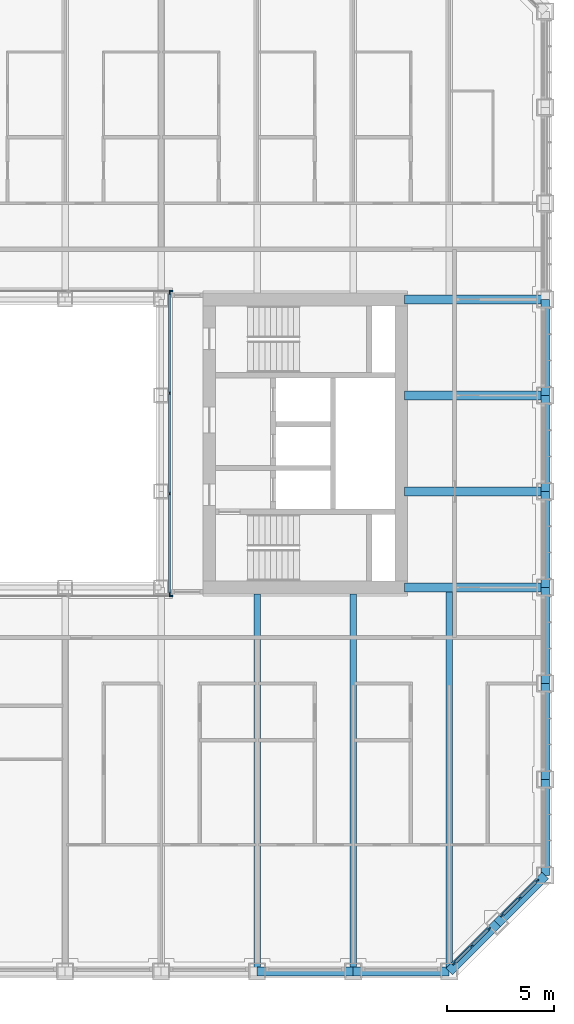
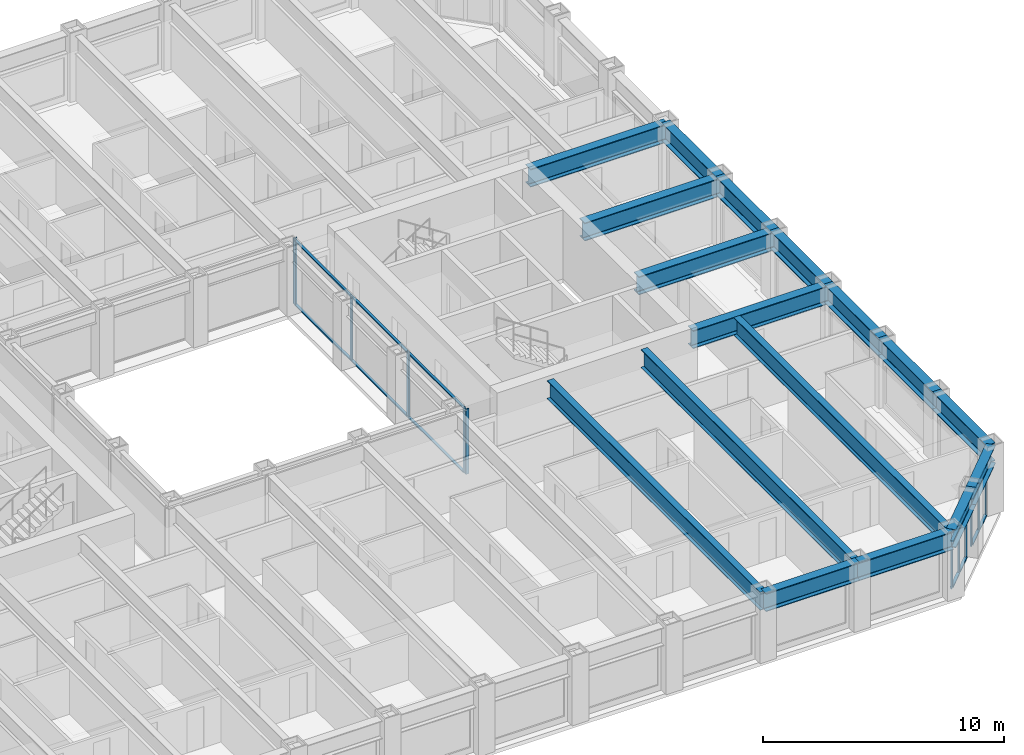
# One storey, part 5 of 21: 26 members, 17 beams, 5 elements without a shape of their own.
"""IFC4 building model written with IfcOpenShell, lengths in metres."""

from ifc_helpers import new_model, si_unit, direction, frame, origin, origin_2d, place, context, subcontext, project, spatial, rectangle, i_section, extrude, material, material_profile, profile_set, type_object, element, aggregate, save


model = new_model("IFC4")

# Units and contexts
model_context = context("Model", 3, precision=1e-05, world=origin(), true_north=direction((0.0, 1.0)))
body_context = subcontext(model_context, "Body", "Model", "MODEL_VIEW")
ifc_project = project(units=[si_unit("LENGTHUNIT", "METRE"), si_unit("AREAUNIT", "SQUARE_METRE"), si_unit("VOLUMEUNIT", "CUBIC_METRE"), si_unit("PLANEANGLEUNIT", "RADIAN"), si_unit("MASSUNIT", "GRAM", prefix="KILO")], contexts=[model_context])

# Site, building, storey
site_placement = place(None, origin())
site = spatial("IfcSite", under=ifc_project, at=site_placement, CompositionType="ELEMENT")
building_placement = place(site_placement, origin())
building = spatial("IfcBuilding", under=site, at=building_placement, Name="Msasa Ring Tower", CompositionType="ELEMENT")
storey_placement = place(building_placement, frame((0.0, 0.0, 68.5)))
storey = spatial("IfcBuildingStorey", under=building, at=storey_placement, Name="L17", CompositionType="ELEMENT", Elevation=68.5)

# Curtain wall, members
ifc_material_1 = material(Name="Aluminium curtain wall with clear glass", Category="aluminium")
curtain_wall_type_1 = type_object("IfcCurtainWallType", Name="CW-C CHAMFER CORNER CURTAIN WALL", PredefinedType="NOTDEFINED", material=ifc_material_1)
curtain_wall_1_placement = place(storey_placement, origin())
curtain_wall_1 = element("IfcCurtainWall", 1, at=curtain_wall_1_placement, inside=storey, type_object=curtain_wall_type_1, Name="Chamfer corner curtain wall SE L17", PredefinedType="NOTDEFINED")
ifc_material_2 = material(Name="Aluminium mullion", Category="aluminium")
ifc_material_profile_1 = material_profile(ifc_material_2, rectangle(XDim=0.06494140625, YDim=0.179931640625, at=origin_2d()), Name="AL 65x180")
ifc_profile_set_1 = profile_set([ifc_material_profile_1], Name="Aluminium mullion")
member_type_1 = type_object("IfcMemberType", Name="CW-C MULLION 65x180", PredefinedType="MULLION", material=ifc_profile_set_1)
member_1_placement = place(storey_placement, frame((20.48876953125, -24.369873046875, 0.0), z_axis=(0.0, 0.0, 1.0), x_axis=(-0.707106781187, 0.707106781187, 0.0)))
member_1 = element("IfcMember", 2, at=member_1_placement, type_object=member_type_1, Name="CW-C mullion 1", PredefinedType="MULLION", context=body_context, shape_type="SweptSolid", body=[
    extrude(rectangle(XDim=0.06494140625, YDim=0.179931640625, at=origin_2d()), origin(), (0.0, 0.0, 1.0), 2.37890625),
])
member_2_placement = place(storey_placement, frame((21.30419921875, -23.55419921875, 0.0), z_axis=(0.0, 0.0, 1.0), x_axis=(-0.707106781187, 0.707106781187, 0.0)))
member_2 = element("IfcMember", 3, at=member_2_placement, type_object=member_type_1, Name="CW-C mullion 2", PredefinedType="MULLION", context=body_context, shape_type="SweptSolid", body=[
    extrude(rectangle(XDim=0.06494140625, YDim=0.179931640625, at=origin_2d()), origin(), (0.0, 0.0, 1.0), 2.37890625),
])
member_3_placement = place(storey_placement, frame((22.119873046875, -22.73876953125, 0.0), z_axis=(0.0, 0.0, 1.0), x_axis=(-0.707106781187, 0.707106781187, 0.0)))
member_3 = element("IfcMember", 4, at=member_3_placement, type_object=member_type_1, Name="CW-C mullion 3", PredefinedType="MULLION", context=body_context, shape_type="SweptSolid", body=[
    extrude(rectangle(XDim=0.06494140625, YDim=0.179931640625, at=origin_2d()), origin(), (0.0, 0.0, 1.0), 2.37890625),
])

curtain_wall_2_placement = place(storey_placement, origin())
curtain_wall_2 = element("IfcCurtainWall", 5, at=curtain_wall_2_placement, inside=storey, type_object=curtain_wall_type_1, Name="Chamfer corner curtain wall SE L17", PredefinedType="NOTDEFINED")
member_4_placement = place(storey_placement, frame((22.73876953125, -22.119873046875, 0.0), z_axis=(0.0, 0.0, 1.0), x_axis=(-0.707106781187, 0.707106781187, 0.0)))
member_4 = element("IfcMember", 6, at=member_4_placement, type_object=member_type_1, Name="CW-C mullion 1", PredefinedType="MULLION", context=body_context, shape_type="SweptSolid", body=[
    extrude(rectangle(XDim=0.06494140625, YDim=0.179931640625, at=origin_2d()), origin(), (0.0, 0.0, 1.0), 2.37890625),
])
member_5_placement = place(storey_placement, frame((23.55419921875, -21.30419921875, 0.0), z_axis=(0.0, 0.0, 1.0), x_axis=(-0.707106781187, 0.707106781187, 0.0)))
member_5 = element("IfcMember", 7, at=member_5_placement, type_object=member_type_1, Name="CW-C mullion 2", PredefinedType="MULLION", context=body_context, shape_type="SweptSolid", body=[
    extrude(rectangle(XDim=0.06494140625, YDim=0.179931640625, at=origin_2d()), origin(), (0.0, 0.0, 1.0), 2.37890625),
])
member_6_placement = place(storey_placement, frame((24.369873046875, -20.48876953125, 0.0), z_axis=(0.0, 0.0, 1.0), x_axis=(-0.707106781187, 0.707106781187, 0.0)))
member_6 = element("IfcMember", 8, at=member_6_placement, type_object=member_type_1, Name="CW-C mullion 3", PredefinedType="MULLION", context=body_context, shape_type="SweptSolid", body=[
    extrude(rectangle(XDim=0.06494140625, YDim=0.179931640625, at=origin_2d()), origin(), (0.0, 0.0, 1.0), 2.37890625),
])

# Member
ifc_material_3 = material(Name="Aluminium transom", Category="aluminium")
ifc_material_profile_2 = material_profile(ifc_material_3, rectangle(XDim=0.139892578125, YDim=0.06494140625, at=origin_2d()), Name="AL 65x140")
ifc_profile_set_2 = profile_set([ifc_material_profile_2], Name="Aluminium transom")
member_type_2 = type_object("IfcMemberType", Name="CW-C TRANSOM 65x140", PredefinedType="USERDEFINED", material=ifc_profile_set_2)
member_7_placement = place(storey_placement, frame((20.51171875, -24.346923828125, 0.032470703125), z_axis=(0.707106781187, 0.707106781187, 0.0), x_axis=(-0.707106781187, 0.707106781187, 0.0)))
member_7 = element("IfcMember", 9, at=member_7_placement, type_object=member_type_2, Name="CW-C transom 1.1", ObjectType="TRANSOM", PredefinedType="USERDEFINED", context=body_context, shape_type="SweptSolid", body=[
    extrude(rectangle(XDim=0.139892578125, YDim=0.06494140625, at=origin_2d()), origin(), (0.0, 0.0, 1.0), 1.08837890625),
])

member_8_placement = place(storey_placement, frame((20.51171875, -24.346923828125, 2.346435546875), z_axis=(0.707106781187, 0.707106781187, 0.0), x_axis=(-0.707106781187, 0.707106781187, 0.0)))
member_8 = element("IfcMember", 10, at=member_8_placement, type_object=member_type_2, Name="CW-C transom 1.2", ObjectType="TRANSOM", PredefinedType="USERDEFINED", context=body_context, shape_type="SweptSolid", body=[
    extrude(rectangle(XDim=0.139892578125, YDim=0.06494140625, at=origin_2d()), origin(), (0.0, 0.0, 1.0), 1.08837890625),
])

member_9_placement = place(storey_placement, frame((21.327392578125, -23.53125, 0.032470703125), z_axis=(0.707106781187, 0.707106781187, 0.0), x_axis=(-0.707106781187, 0.707106781187, 0.0)))
member_9 = element("IfcMember", 11, at=member_9_placement, type_object=member_type_2, Name="CW-C transom 2.1", ObjectType="TRANSOM", PredefinedType="USERDEFINED", context=body_context, shape_type="SweptSolid", body=[
    extrude(rectangle(XDim=0.139892578125, YDim=0.06494140625, at=origin_2d()), origin(), (0.0, 0.0, 1.0), 1.08837890625),
])

member_10_placement = place(storey_placement, frame((21.327392578125, -23.53125, 2.346435546875), z_axis=(0.707106781187, 0.707106781187, 0.0), x_axis=(-0.707106781187, 0.707106781187, 0.0)))
member_10 = element("IfcMember", 12, at=member_10_placement, type_object=member_type_2, Name="CW-C transom 2.2", ObjectType="TRANSOM", PredefinedType="USERDEFINED", context=body_context, shape_type="SweptSolid", body=[
    extrude(rectangle(XDim=0.139892578125, YDim=0.06494140625, at=origin_2d()), origin(), (0.0, 0.0, 1.0), 1.08837890625),
])

aggregate(curtain_wall_1, [member_1, member_2, member_3, member_7, member_8, member_9, member_10])

member_11_placement = place(storey_placement, frame((22.76171875, -22.096923828125, 0.032470703125), z_axis=(0.707106781187, 0.707106781187, 0.0), x_axis=(-0.707106781187, 0.707106781187, 0.0)))
member_11 = element("IfcMember", 13, at=member_11_placement, type_object=member_type_2, Name="CW-C transom 1.1", ObjectType="TRANSOM", PredefinedType="USERDEFINED", context=body_context, shape_type="SweptSolid", body=[
    extrude(rectangle(XDim=0.139892578125, YDim=0.06494140625, at=origin_2d()), origin(), (0.0, 0.0, 1.0), 1.08837890625),
])

member_12_placement = place(storey_placement, frame((22.76171875, -22.096923828125, 2.346435546875), z_axis=(0.707106781187, 0.707106781187, 0.0), x_axis=(-0.707106781187, 0.707106781187, 0.0)))
member_12 = element("IfcMember", 14, at=member_12_placement, type_object=member_type_2, Name="CW-C transom 1.2", ObjectType="TRANSOM", PredefinedType="USERDEFINED", context=body_context, shape_type="SweptSolid", body=[
    extrude(rectangle(XDim=0.139892578125, YDim=0.06494140625, at=origin_2d()), origin(), (0.0, 0.0, 1.0), 1.08837890625),
])

member_13_placement = place(storey_placement, frame((23.577392578125, -21.28125, 0.032470703125), z_axis=(0.707106781187, 0.707106781187, 0.0), x_axis=(-0.707106781187, 0.707106781187, 0.0)))
member_13 = element("IfcMember", 15, at=member_13_placement, type_object=member_type_2, Name="CW-C transom 2.1", ObjectType="TRANSOM", PredefinedType="USERDEFINED", context=body_context, shape_type="SweptSolid", body=[
    extrude(rectangle(XDim=0.139892578125, YDim=0.06494140625, at=origin_2d()), origin(), (0.0, 0.0, 1.0), 1.08837890625),
])

member_14_placement = place(storey_placement, frame((23.577392578125, -21.28125, 2.346435546875), z_axis=(0.707106781187, 0.707106781187, 0.0), x_axis=(-0.707106781187, 0.707106781187, 0.0)))
member_14 = element("IfcMember", 16, at=member_14_placement, type_object=member_type_2, Name="CW-C transom 2.2", ObjectType="TRANSOM", PredefinedType="USERDEFINED", context=body_context, shape_type="SweptSolid", body=[
    extrude(rectangle(XDim=0.139892578125, YDim=0.06494140625, at=origin_2d()), origin(), (0.0, 0.0, 1.0), 1.08837890625),
])

aggregate(curtain_wall_2, [member_4, member_5, member_6, member_11, member_12, member_13, member_14])

# Curtain wall, member
ifc_material_4 = material(Name="Aluminium curtain wall with clear glass", Category="aluminium")
curtain_wall_type_2 = type_object("IfcCurtainWallType", Name="CW-W LIGHT WELL CURTAIN WALL", PredefinedType="NOTDEFINED", material=ifc_material_4)
curtain_wall_3_placement = place(storey_placement, origin())
curtain_wall_3 = element("IfcCurtainWall", 17, at=curtain_wall_3_placement, inside=storey, type_object=curtain_wall_type_2, Name="Light well curtain wall N L17", PredefinedType="NOTDEFINED")
ifc_material_5 = material(Name="Aluminium mullion", Category="aluminium")
ifc_material_profile_3 = material_profile(ifc_material_5, rectangle(XDim=0.06005859375, YDim=0.159912109375, at=origin_2d()), Name="AL 60x160")
ifc_profile_set_3 = profile_set([ifc_material_profile_3], Name="Aluminium mullion")
member_type_3 = type_object("IfcMemberType", Name="CW-W MULLION 60x160", PredefinedType="MULLION", material=ifc_profile_set_3)
member_15_placement = place(storey_placement, frame((7.199951171875, 7.14990234375, 0.0), z_axis=(0.0, 0.0, 1.0), x_axis=(0.0, 1.0, 0.0)))
member_15 = element("IfcMember", 18, at=member_15_placement, type_object=member_type_3, Name="CW-W mullion 4", PredefinedType="MULLION", context=body_context, shape_type="SweptSolid", body=[
    extrude(rectangle(XDim=0.06005859375, YDim=0.159912109375, at=origin_2d()), origin(), (0.0, 0.0, 1.0), 3.300048828125),
])
aggregate(curtain_wall_3, [member_15])

curtain_wall_4_placement = place(storey_placement, origin())
curtain_wall_4 = element("IfcCurtainWall", 19, at=curtain_wall_4_placement, inside=storey, type_object=curtain_wall_type_2, Name="Light well curtain wall S L17", PredefinedType="NOTDEFINED")
member_16_placement = place(storey_placement, frame((7.199951171875, -7.14990234375, 0.0), z_axis=(0.0, 0.0, 1.0), x_axis=(0.0, 1.0, 0.0)))
member_16 = element("IfcMember", 20, at=member_16_placement, type_object=member_type_3, Name="CW-W mullion 4", PredefinedType="MULLION", context=body_context, shape_type="SweptSolid", body=[
    extrude(rectangle(XDim=0.06005859375, YDim=0.159912109375, at=origin_2d()), origin(), (0.0, 0.0, 1.0), 3.300048828125),
])
aggregate(curtain_wall_4, [member_16])

# Curtain wall, members
curtain_wall_5_placement = place(storey_placement, origin())
curtain_wall_5 = element("IfcCurtainWall", 21, at=curtain_wall_5_placement, inside=storey, type_object=curtain_wall_type_2, Name="Light well curtain wall E L17", PredefinedType="NOTDEFINED")
member_17_placement = place(storey_placement, frame((7.14990234375, -7.0400390625, 0.0), z_axis=(0.0, 0.0, 1.0), x_axis=(-1.0, 0.0, 0.0)))
member_17 = element("IfcMember", 22, at=member_17_placement, type_object=member_type_3, Name="CW-W mullion 1", PredefinedType="MULLION", context=body_context, shape_type="SweptSolid", body=[
    extrude(rectangle(XDim=0.06005859375, YDim=0.159912109375, at=origin_2d()), origin(), (0.0, 0.0, 1.0), 3.300048828125),
])
member_18_placement = place(storey_placement, frame((7.14990234375, -2.356689453125, 0.0), z_axis=(0.0, 0.0, 1.0), x_axis=(-1.0, 0.0, 0.0)))
member_18 = element("IfcMember", 23, at=member_18_placement, type_object=member_type_3, Name="CW-W mullion 2", PredefinedType="MULLION", context=body_context, shape_type="SweptSolid", body=[
    extrude(rectangle(XDim=0.06005859375, YDim=0.159912109375, at=origin_2d()), origin(), (0.0, 0.0, 1.0), 3.300048828125),
])
member_19_placement = place(storey_placement, frame((7.14990234375, 2.356689453125, 0.0), z_axis=(0.0, 0.0, 1.0), x_axis=(-1.0, 0.0, 0.0)))
member_19 = element("IfcMember", 24, at=member_19_placement, type_object=member_type_3, Name="CW-W mullion 3", PredefinedType="MULLION", context=body_context, shape_type="SweptSolid", body=[
    extrude(rectangle(XDim=0.06005859375, YDim=0.159912109375, at=origin_2d()), origin(), (0.0, 0.0, 1.0), 3.300048828125),
])
member_20_placement = place(storey_placement, frame((7.14990234375, 7.0400390625, 0.0), z_axis=(0.0, 0.0, 1.0), x_axis=(-1.0, 0.0, 0.0)))
member_20 = element("IfcMember", 25, at=member_20_placement, type_object=member_type_3, Name="CW-W mullion 4", PredefinedType="MULLION", context=body_context, shape_type="SweptSolid", body=[
    extrude(rectangle(XDim=0.06005859375, YDim=0.159912109375, at=origin_2d()), origin(), (0.0, 0.0, 1.0), 3.300048828125),
])
ifc_material_6 = material(Name="Aluminium transom", Category="aluminium")
ifc_material_profile_4 = material_profile(ifc_material_6, rectangle(XDim=0.1201171875, YDim=0.06005859375, at=origin_2d()), Name="AL 60x120")
ifc_profile_set_4 = profile_set([ifc_material_profile_4], Name="Aluminium transom")
member_type_4 = type_object("IfcMemberType", Name="CW-W TRANSOM 60x120", PredefinedType="USERDEFINED", material=ifc_profile_set_4)
member_21_placement = place(storey_placement, frame((7.14990234375, -7.010009765625, 0.030029296875), z_axis=(0.0, 1.0, 0.0), x_axis=(-1.0, 0.0, 0.0)))
member_21 = element("IfcMember", 26, at=member_21_placement, type_object=member_type_4, Name="CW-W transom 1.1", ObjectType="TRANSOM", PredefinedType="USERDEFINED", context=body_context, shape_type="SweptSolid", body=[
    extrude(rectangle(XDim=0.1201171875, YDim=0.06005859375, at=origin_2d()), origin(), (0.0, 0.0, 1.0), 4.623291015625),
])
member_22_placement = place(storey_placement, frame((7.14990234375, -7.010009765625, 3.27001953125), z_axis=(0.0, 1.0, 0.0), x_axis=(-1.0, 0.0, 0.0)))
member_22 = element("IfcMember", 27, at=member_22_placement, type_object=member_type_4, Name="CW-W transom 1.2", ObjectType="TRANSOM", PredefinedType="USERDEFINED", context=body_context, shape_type="SweptSolid", body=[
    extrude(rectangle(XDim=0.1201171875, YDim=0.06005859375, at=origin_2d()), origin(), (0.0, 0.0, 1.0), 4.623291015625),
])
member_23_placement = place(storey_placement, frame((7.14990234375, -2.32666015625, 0.030029296875), z_axis=(0.0, 1.0, 0.0), x_axis=(-1.0, 0.0, 0.0)))
member_23 = element("IfcMember", 28, at=member_23_placement, type_object=member_type_4, Name="CW-W transom 2.1", ObjectType="TRANSOM", PredefinedType="USERDEFINED", context=body_context, shape_type="SweptSolid", body=[
    extrude(rectangle(XDim=0.1201171875, YDim=0.06005859375, at=origin_2d()), origin(), (0.0, 0.0, 1.0), 4.6533203125),
])
member_24_placement = place(storey_placement, frame((7.14990234375, -2.32666015625, 3.27001953125), z_axis=(0.0, 1.0, 0.0), x_axis=(-1.0, 0.0, 0.0)))
member_24 = element("IfcMember", 29, at=member_24_placement, type_object=member_type_4, Name="CW-W transom 2.2", ObjectType="TRANSOM", PredefinedType="USERDEFINED", context=body_context, shape_type="SweptSolid", body=[
    extrude(rectangle(XDim=0.1201171875, YDim=0.06005859375, at=origin_2d()), origin(), (0.0, 0.0, 1.0), 4.6533203125),
])
member_25_placement = place(storey_placement, frame((7.14990234375, 2.38671875, 0.030029296875), z_axis=(0.0, 1.0, 0.0), x_axis=(-1.0, 0.0, 0.0)))
member_25 = element("IfcMember", 30, at=member_25_placement, type_object=member_type_4, Name="CW-W transom 3.1", ObjectType="TRANSOM", PredefinedType="USERDEFINED", context=body_context, shape_type="SweptSolid", body=[
    extrude(rectangle(XDim=0.1201171875, YDim=0.06005859375, at=origin_2d()), origin(), (0.0, 0.0, 1.0), 4.623291015625),
])
member_26_placement = place(storey_placement, frame((7.14990234375, 2.38671875, 3.27001953125), z_axis=(0.0, 1.0, 0.0), x_axis=(-1.0, 0.0, 0.0)))
member_26 = element("IfcMember", 31, at=member_26_placement, type_object=member_type_4, Name="CW-W transom 3.2", ObjectType="TRANSOM", PredefinedType="USERDEFINED", context=body_context, shape_type="SweptSolid", body=[
    extrude(rectangle(XDim=0.1201171875, YDim=0.06005859375, at=origin_2d()), origin(), (0.0, 0.0, 1.0), 4.623291015625),
])
aggregate(curtain_wall_5, [member_17, member_18, member_19, member_20, member_21, member_22, member_23, member_24, member_25, member_26])

# Beams
ifc_material_7 = material(Name="Steel S355", Category="steel")
ifc_material_profile_5 = material_profile(ifc_material_7, i_section(OverallWidth=0.42041015625, OverallDepth=0.9208984375, WebThickness=0.021484375, FlangeThickness=0.03662109375, FilletRadius=0.024169921875, at=origin_2d()), Name="UB 914x419x388")
ifc_profile_set_5 = profile_set([ifc_material_profile_5], Name="Steel S355")
beam_type_1 = type_object("IfcBeamType", Name="FB2 UB 914x419x388", PredefinedType="BEAM", material=ifc_profile_set_5)
for number, where, z_axis, x_axis, name in (
    (32, (24.75, -2.25, 2.839599609375), (-1.0, 0.0, 0.0), (0.0, -1.0, 0.0), "Floor beam E -2.25 under L18"),
    (33, (24.75, 2.25, 2.839599609375), (-1.0, 0.0, 0.0), (0.0, -1.0, 0.0), "Floor beam E +2.25 under L18"),
):
    element("IfcBeam", number, at=place(storey_placement, frame(where, z_axis=z_axis, x_axis=x_axis)), inside=storey, type_object=beam_type_1, Name=name, PredefinedType="BEAM", context=body_context, shape_type="SweptSolid", body=[
        extrude(i_section(OverallWidth=0.42041015625, OverallDepth=0.9208984375, WebThickness=0.021484375, FlangeThickness=0.03662109375, FilletRadius=0.024169921875, at=origin_2d()), origin(), (0.0, 0.0, 1.0), 6.60009765625),
    ])
ifc_material_8 = material(Name="Steel S355", Category="steel")
ifc_material_profile_6 = material_profile(ifc_material_8, i_section(OverallWidth=0.3076171875, OverallDepth=0.926513671875, WebThickness=0.01953125, FlangeThickness=0.031982421875, FilletRadius=0.01904296875, at=origin_2d()), Name="UB 914x305x289")
ifc_profile_set_6 = profile_set([ifc_material_profile_6], Name="Steel S355")
beam_type_2 = type_object("IfcBeamType", Name="FB3 UB 914x305x289", PredefinedType="BEAM", material=ifc_profile_set_6)
for number, where, z_axis, x_axis, name in (
    (34, (11.25, -24.75, 2.836669921875), (0.0, 1.0, 0.0), (-1.0, 0.0, 0.0), "Floor beam S+11.25 under L18"),
    (35, (15.75, -24.75, 2.836669921875), (0.0, 1.0, 0.0), (-1.0, 0.0, 0.0), "Floor beam S+15.75 under L18"),
):
    element("IfcBeam", number, at=place(storey_placement, frame(where, z_axis=z_axis, x_axis=x_axis)), inside=storey, type_object=beam_type_2, Name=name, PredefinedType="BEAM", context=body_context, shape_type="SweptSolid", body=[
        extrude(i_section(OverallWidth=0.3076171875, OverallDepth=0.926513671875, WebThickness=0.01953125, FlangeThickness=0.031982421875, FilletRadius=0.01904296875, at=origin_2d()), origin(), (0.0, 0.0, 1.0), 17.699951171875),
    ])
beam_placement = place(storey_placement, frame((20.25, -24.75, 2.836669921875), z_axis=(0.0, 1.0, 0.0), x_axis=(-1.0, 0.0, 0.0)))
element("IfcBeam", 36, at=beam_placement, inside=storey, type_object=beam_type_2, Name="Floor beam S+20.25 under L18", PredefinedType="BEAM", context=body_context, shape_type="SweptSolid", body=[
    extrude(i_section(OverallWidth=0.3076171875, OverallDepth=0.926513671875, WebThickness=0.01953125, FlangeThickness=0.031982421875, FilletRadius=0.01904296875, at=origin_2d()), origin(), (0.0, 0.0, 1.0), 17.789794921875),
])
ifc_material_9 = material(Name="Steel S355", Category="steel")
ifc_material_profile_7 = material_profile(ifc_material_9, i_section(OverallWidth=0.42041015625, OverallDepth=0.9208984375, WebThickness=0.021484375, FlangeThickness=0.03662109375, FilletRadius=0.024169921875, at=origin_2d()), Name="UB 914x419x388")
ifc_profile_set_7 = profile_set([ifc_material_profile_7], Name="Steel S355")
beam_type_3 = type_object("IfcBeamType", Name="GB1 UB 914x419x388", PredefinedType="BEAM", material=ifc_profile_set_7)
for number, where, z_axis, x_axis, name in (
    (37, (18.14990234375, 6.75, 2.839599609375), (1.0, 0.0, 0.0), (0.0, 1.0, 0.0), "Girder E +6.75 under L18"),
    (38, (18.14990234375, -6.75, 2.839599609375), (1.0, 0.0, 0.0), (0.0, 1.0, 0.0), "Girder E -6.75 under L18"),
):
    element("IfcBeam", number, at=place(storey_placement, frame(where, z_axis=z_axis, x_axis=x_axis)), inside=storey, type_object=beam_type_3, Name=name, PredefinedType="BEAM", context=body_context, shape_type="SweptSolid", body=[
        extrude(i_section(OverallWidth=0.42041015625, OverallDepth=0.9208984375, WebThickness=0.021484375, FlangeThickness=0.03662109375, FilletRadius=0.024169921875, at=origin_2d()), origin(), (0.0, 0.0, 1.0), 6.60009765625),
    ])
ifc_material_10 = material(Name="Steel S355", Category="steel")
ifc_material_profile_8 = material_profile(ifc_material_10, i_section(OverallWidth=0.42041015625, OverallDepth=0.9208984375, WebThickness=0.021484375, FlangeThickness=0.03662109375, FilletRadius=0.024169921875, at=origin_2d()), Name="UB 914x419x388")
ifc_profile_set_8 = profile_set([ifc_material_profile_8], Name="Steel S355")
beam_type_4 = type_object("IfcBeamType", Name="SB1 UB 914x419x388", PredefinedType="SPANDREL", material=ifc_profile_set_8)
for number, where, z_axis, x_axis, name in (
    (39, (11.25, -24.75, 2.839599609375), (1.0, 0.0, 0.0), (0.0, 1.0, 0.0), "Spandrel S+11.25 to S+15.75 under L18"),
    (40, (15.75, -24.75, 2.839599609375), (1.0, 0.0, 0.0), (0.0, 1.0, 0.0), "Spandrel S+15.75 to S+20.25 under L18"),
):
    element("IfcBeam", number, at=place(storey_placement, frame(where, z_axis=z_axis, x_axis=x_axis)), inside=storey, type_object=beam_type_4, Name=name, PredefinedType="SPANDREL", context=body_context, shape_type="SweptSolid", body=[
        extrude(i_section(OverallWidth=0.42041015625, OverallDepth=0.9208984375, WebThickness=0.021484375, FlangeThickness=0.03662109375, FilletRadius=0.024169921875, at=origin_2d()), origin(), (0.0, 0.0, 1.0), 4.5),
    ])
for number, where, z_axis, x_axis, name in (
    (41, (20.25, -24.75, 2.839599609375), (0.707106781187, 0.707106781187, 0.0), (-0.707106781187, 0.707106781187, 0.0), "Spandrel S+20.25 to SE under L18"),
    (42, (22.5, -22.5, 2.839599609375), (0.707106781187, 0.707106781187, 0.0), (-0.707106781187, 0.707106781187, 0.0), "Spandrel SE to E-20.25 under L18"),
):
    element("IfcBeam", number, at=place(storey_placement, frame(where, z_axis=z_axis, x_axis=x_axis)), inside=storey, type_object=beam_type_4, Name=name, PredefinedType="SPANDREL", context=body_context, shape_type="SweptSolid", body=[
        extrude(i_section(OverallWidth=0.42041015625, OverallDepth=0.9208984375, WebThickness=0.021484375, FlangeThickness=0.03662109375, FilletRadius=0.024169921875, at=origin_2d()), origin(), (0.0, 0.0, 1.0), 3.181884765625),
    ])
for number, where, z_axis, x_axis, name in (
    (43, (24.75, -20.25, 2.839599609375), (0.0, 1.0, 0.0), (-1.0, 0.0, 0.0), "Spandrel E-20.25 to E-15.75 under L18"),
    (44, (24.75, -15.75, 2.839599609375), (0.0, 1.0, 0.0), (-1.0, 0.0, 0.0), "Spandrel E-15.75 to E-11.25 under L18"),
    (45, (24.75, -11.25, 2.839599609375), (0.0, 1.0, 0.0), (-1.0, 0.0, 0.0), "Spandrel E-11.25 to E-6.75 under L18"),
    (46, (24.75, -6.75, 2.839599609375), (0.0, 1.0, 0.0), (-1.0, 0.0, 0.0), "Spandrel E-6.75 to E-2.25 under L18"),
    (47, (24.75, -2.25, 2.839599609375), (0.0, 1.0, 0.0), (-1.0, 0.0, 0.0), "Spandrel E-2.25 to E+2.25 under L18"),
    (48, (24.75, 2.25, 2.839599609375), (0.0, 1.0, 0.0), (-1.0, 0.0, 0.0), "Spandrel E+2.25 to E+6.75 under L18"),
):
    element("IfcBeam", number, at=place(storey_placement, frame(where, z_axis=z_axis, x_axis=x_axis)), inside=storey, type_object=beam_type_4, Name=name, PredefinedType="SPANDREL", context=body_context, shape_type="SweptSolid", body=[
        extrude(i_section(OverallWidth=0.42041015625, OverallDepth=0.9208984375, WebThickness=0.021484375, FlangeThickness=0.03662109375, FilletRadius=0.024169921875, at=origin_2d()), origin(), (0.0, 0.0, 1.0), 4.5),
    ])

save(model, "model.ifc")
